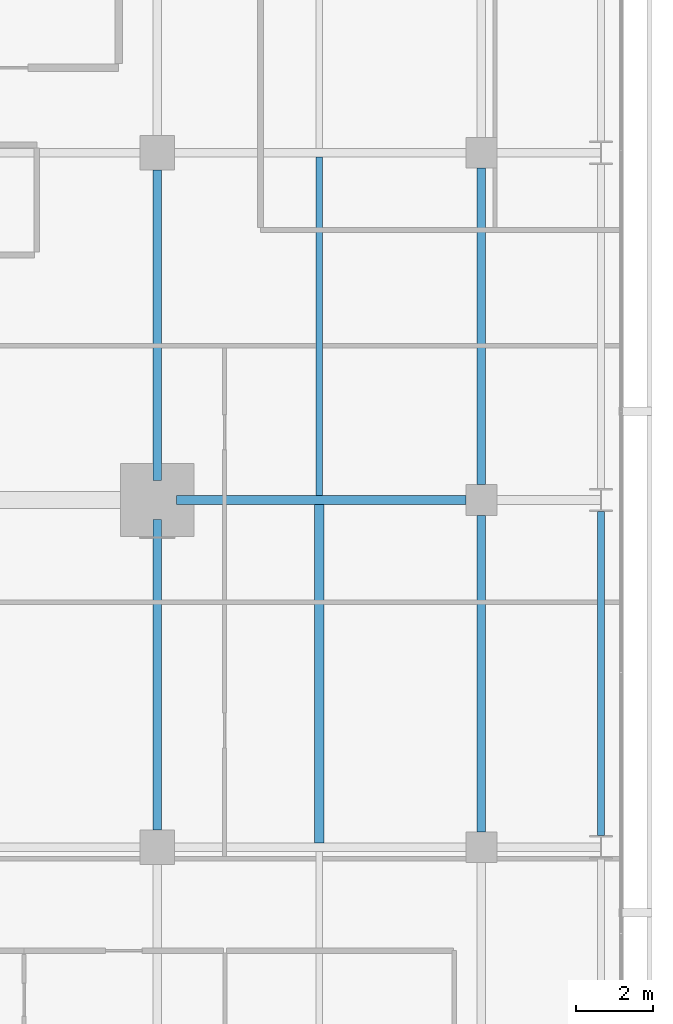
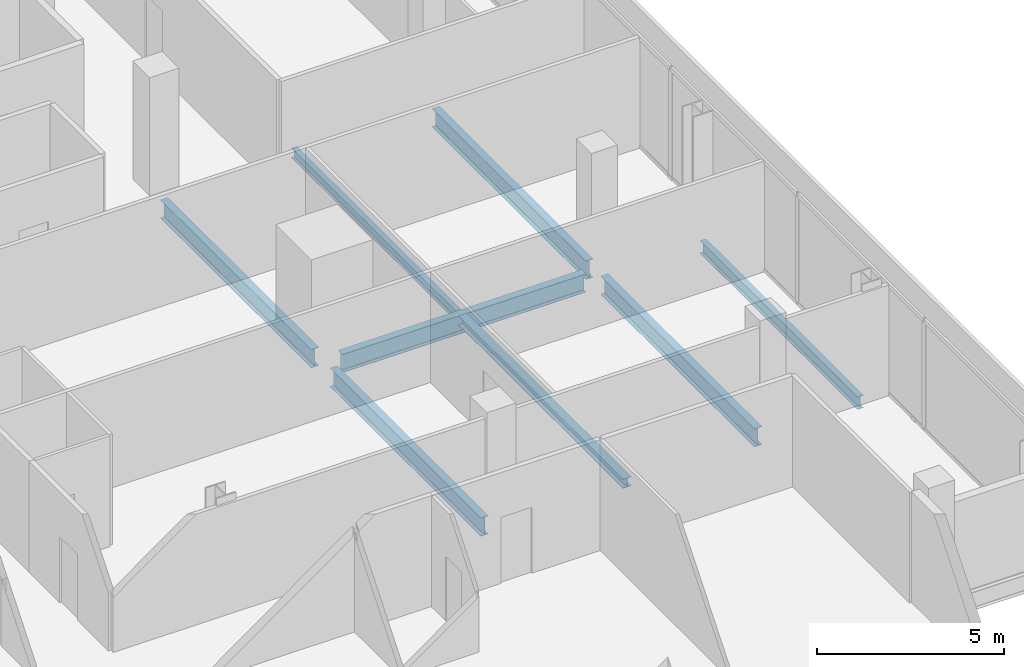
# One storey, part 16 of 33: 8 beams.
"""IFC4 building model written with IfcOpenShell, lengths in metres."""

from ifc_helpers import new_model, si_unit, direction, frame, origin, origin_2d, place, context, subcontext, project, spatial, i_section, extrude, material, material_profile, profile_set, type_object, element, save


model = new_model("IFC4")

# Units and contexts
model_context = context("Model", 3, precision=1e-05, world=origin(), true_north=direction((0.0, 1.0)))
body_context = subcontext(model_context, "Body", "Model", "MODEL_VIEW")
ifc_project = project(units=[si_unit("LENGTHUNIT", "METRE"), si_unit("AREAUNIT", "SQUARE_METRE"), si_unit("VOLUMEUNIT", "CUBIC_METRE"), si_unit("PLANEANGLEUNIT", "RADIAN"), si_unit("MASSUNIT", "GRAM", prefix="KILO")], contexts=[model_context])

# Site, building, storey
site_placement = place(None, origin())
site = spatial("IfcSite", under=ifc_project, at=site_placement, CompositionType="ELEMENT")
building_placement = place(site_placement, origin())
building = spatial("IfcBuilding", under=site, at=building_placement, Name="Maruvema Waterfront Hotel and Observation Tower", CompositionType="ELEMENT")
storey_placement = place(building_placement, frame((0.0, 0.0, 169.75)))
storey = spatial("IfcBuildingStorey", under=building, at=storey_placement, Name="L41", CompositionType="ELEMENT", Elevation=169.75)

# Beams
ifc_material_1 = material(Name="Steel ASTM A572 Grade 50", Category="steel")
ifc_material_profile_1 = material_profile(ifc_material_1, i_section(OverallWidth=0.180908203125, OverallDepth=0.4169921875, WebThickness=0.010986328125, FlangeThickness=0.018310546875, FilletRadius=0.014892578125, at=origin_2d()), Name="W410x85.0")
ifc_profile_set_1 = profile_set([ifc_material_profile_1], Name="Steel ASTM A572 Grade 50")
beam_type_1 = type_object("IfcBeamType", Name="Perimeter Spandrel Beam W410x85.0", PredefinedType="SPANDREL", material=ifc_profile_set_1)
beam_1_placement = place(storey_placement, frame((61.89990234375, 18.300048828125, -0.448486328125), z_axis=(0.0, 1.0, 0.0), x_axis=(-1.0, 0.0, 0.0)))
element("IfcBeam", 1, at=beam_1_placement, inside=storey, type_object=beam_type_1, Name="L41 Floor Girder NS-30", PredefinedType="SPANDREL", context=body_context, shape_type="SweptSolid", body=[
    extrude(i_section(OverallWidth=0.180908203125, OverallDepth=0.4169921875, WebThickness=0.010986328125, FlangeThickness=0.018310546875, FilletRadius=0.014892578125, at=origin_2d()), origin(), (0.0, 0.0, 1.0), 8.39990234375),
])
ifc_material_2 = material(Name="Steel ASTM A572 Grade 50", Category="steel")
ifc_material_profile_2 = material_profile(ifc_material_2, i_section(OverallWidth=0.22802734375, OverallDepth=0.60302734375, WebThickness=0.010498046875, FlangeThickness=0.014892578125, FilletRadius=0.01806640625, at=origin_2d()), Name="W610x101.0")
ifc_profile_set_2 = profile_set([ifc_material_profile_2], Name="Steel ASTM A572 Grade 50")
beam_type_2 = type_object("IfcBeamType", Name="Primary Floor Girder W610x101.0", PredefinedType="BEAM", material=ifc_profile_set_2)
beam_2_placement = place(storey_placement, frame((50.89990234375, 27.0, -0.54150390625), z_axis=(1.0, 0.0, 0.0), x_axis=(0.0, 1.0, 0.0)))
element("IfcBeam", 2, at=beam_2_placement, inside=storey, type_object=beam_type_2, Name="L41 Floor Girder EW-21", PredefinedType="BEAM", context=body_context, shape_type="SweptSolid", body=[
    extrude(i_section(OverallWidth=0.22802734375, OverallDepth=0.60302734375, WebThickness=0.010498046875, FlangeThickness=0.014892578125, FilletRadius=0.01806640625, at=origin_2d()), origin(), (0.0, 0.0, 1.0), 7.5),
])
for number, where, z_axis, x_axis, name in (
    (3, (50.39990234375, 18.449951171875, -0.54150390625), (0.0, 1.0, 0.0), (-1.0, 0.0, 0.0), "L41 Floor Girder NS-22"),
    (4, (50.39990234375, 27.5, -0.54150390625), (0.0, 1.0, 0.0), (-1.0, 0.0, 0.0), "L41 Floor Girder NS-23"),
):
    element("IfcBeam", number, at=place(storey_placement, frame(where, z_axis=z_axis, x_axis=x_axis)), inside=storey, type_object=beam_type_2, Name=name, PredefinedType="BEAM", context=body_context, shape_type="SweptSolid", body=[
        extrude(i_section(OverallWidth=0.22802734375, OverallDepth=0.60302734375, WebThickness=0.010498046875, FlangeThickness=0.014892578125, FilletRadius=0.01806640625, at=origin_2d()), origin(), (0.0, 0.0, 1.0), 8.050048828125),
    ])
for number, where, z_axis, x_axis, name in (
    (5, (58.800048828125, 18.39990234375, -0.54150390625), (0.0, 1.0, 0.0), (-1.0, 0.0, 0.0), "L41 Floor Girder NS-26"),
    (6, (58.800048828125, 27.39990234375, -0.54150390625), (0.0, 1.0, 0.0), (-1.0, 0.0, 0.0), "L41 Floor Girder NS-27"),
):
    element("IfcBeam", number, at=place(storey_placement, frame(where, z_axis=z_axis, x_axis=x_axis)), inside=storey, type_object=beam_type_2, Name=name, PredefinedType="BEAM", context=body_context, shape_type="SweptSolid", body=[
        extrude(i_section(OverallWidth=0.22802734375, OverallDepth=0.60302734375, WebThickness=0.010498046875, FlangeThickness=0.014892578125, FilletRadius=0.01806640625, at=origin_2d()), origin(), (0.0, 0.0, 1.0), 8.2001953125),
    ])
ifc_material_3 = material(Name="Steel ASTM A572 Grade 50", Category="steel")
ifc_material_profile_3 = material_profile(ifc_material_3, i_section(OverallWidth=0.1669921875, OverallDepth=0.31689453125, WebThickness=0.007568359375, FlangeThickness=0.01318359375, FilletRadius=0.012939453125, at=origin_2d()), Name="W310x52.0")
ifc_profile_set_3 = profile_set([ifc_material_profile_3], Name="Steel ASTM A572 Grade 50")
beam_type_3 = type_object("IfcBeamType", Name="Secondary Floor Joist W310x52.0", PredefinedType="JOIST", material=ifc_profile_set_3)
beam_3_placement = place(storey_placement, frame((54.60009765625, 27.114013671875, -0.3984375), z_axis=(0.0, 1.0, 0.0), x_axis=(-1.0, 0.0, 0.0)))
element("IfcBeam", 7, at=beam_3_placement, inside=storey, type_object=beam_type_3, Name="L41 Secondary Floor Joist JS-13", PredefinedType="JOIST", context=body_context, shape_type="SweptSolid", body=[
    extrude(i_section(OverallWidth=0.1669921875, OverallDepth=0.31689453125, WebThickness=0.007568359375, FlangeThickness=0.01318359375, FilletRadius=0.012939453125, at=origin_2d()), origin(), (0.0, 0.0, 1.0), 8.77197265625),
])
ifc_material_4 = material(Name="Steel ASTM A572 Grade 50", Category="steel")
ifc_material_profile_4 = material_profile(ifc_material_4, i_section(OverallWidth=0.25390625, OverallDepth=0.305908203125, WebThickness=0.0087890625, FlangeThickness=0.0146484375, FilletRadius=0.014892578125, at=origin_2d()), Name="W310x79.0")
ifc_profile_set_4 = profile_set([ifc_material_profile_4], Name="Steel ASTM A572 Grade 50")
beam_type_4 = type_object("IfcBeamType", Name="Secondary Floor Joist W310x79.0", PredefinedType="JOIST", material=ifc_profile_set_4)
beam_4_placement = place(storey_placement, frame((54.60009765625, 18.114013671875, -0.39306640625), z_axis=(0.0, 1.0, 0.0), x_axis=(-1.0, 0.0, 0.0)))
element("IfcBeam", 8, at=beam_4_placement, inside=storey, type_object=beam_type_4, Name="L41 Secondary Floor Joist JS-12", PredefinedType="JOIST", context=body_context, shape_type="SweptSolid", body=[
    extrude(i_section(OverallWidth=0.25390625, OverallDepth=0.305908203125, WebThickness=0.0087890625, FlangeThickness=0.0146484375, FilletRadius=0.014892578125, at=origin_2d()), origin(), (0.0, 0.0, 1.0), 8.77197265625),
])

save(model, "model.ifc")
